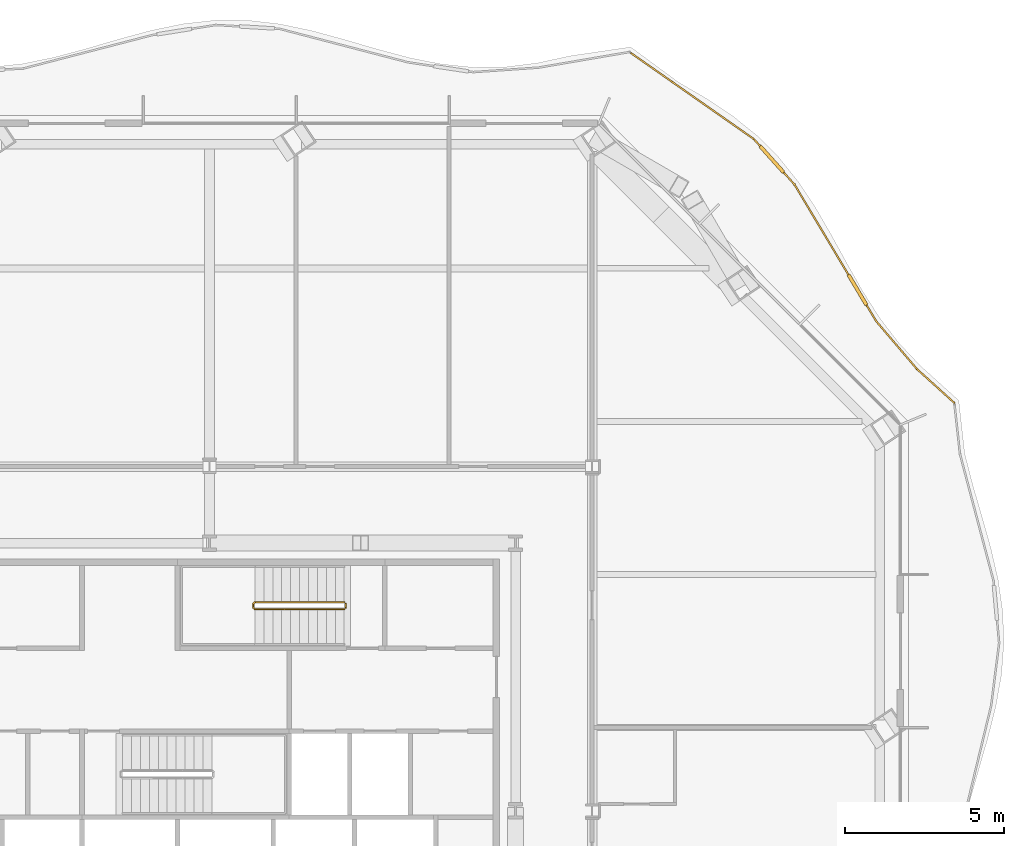
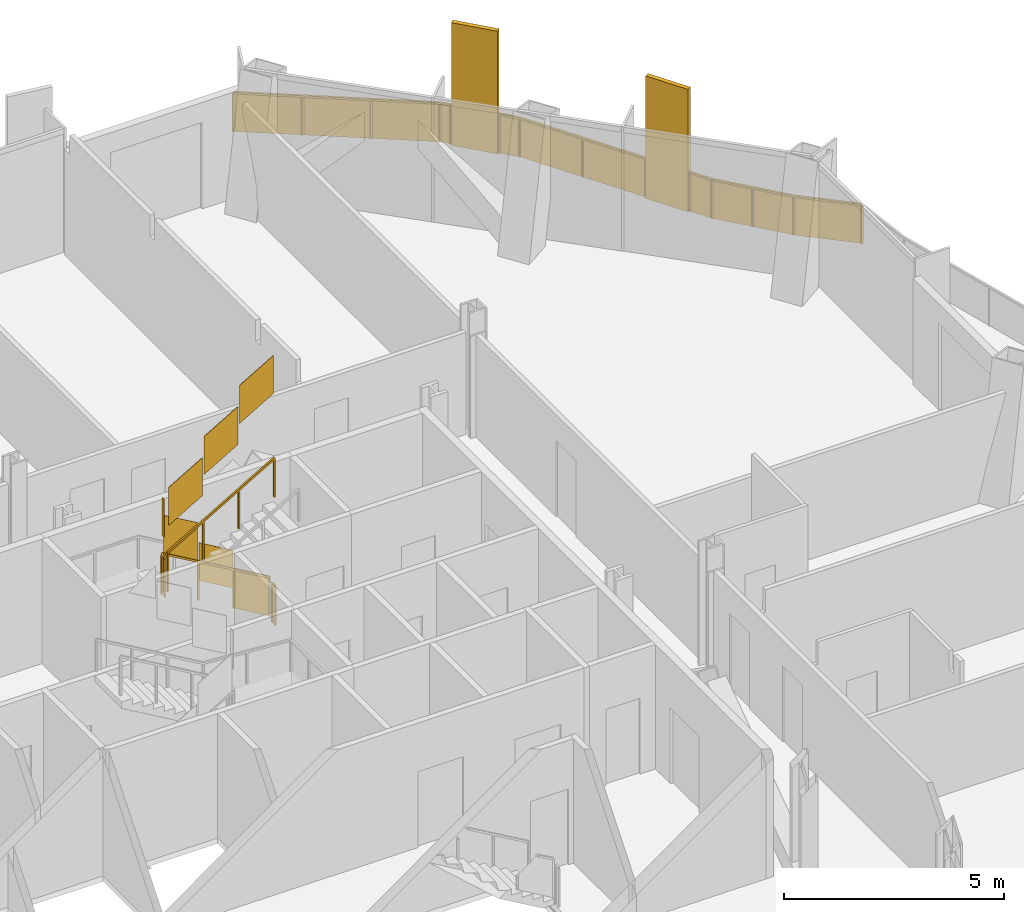
# One storey, part 19 of 19: 3 railings.
"""IFC4 building model written with IfcOpenShell, lengths in metres."""

from ifc_helpers import new_model, si_unit, direction, frame, origin, origin_2d, place, context, subcontext, project, spatial, polyline, rectangle, outline, extrude, material, type_object, element, save


model = new_model("IFC4")

# Units and contexts
model_context = context("Model", 3, precision=1e-05, world=origin(), true_north=direction((0.0, 1.0)))
body_context = subcontext(model_context, "Body", "Model", "MODEL_VIEW")
ifc_project = project(units=[si_unit("LENGTHUNIT", "METRE"), si_unit("AREAUNIT", "SQUARE_METRE"), si_unit("VOLUMEUNIT", "CUBIC_METRE"), si_unit("PLANEANGLEUNIT", "RADIAN"), si_unit("MASSUNIT", "GRAM", prefix="KILO")], contexts=[model_context])

# Site, building, storey
site_placement = place(None, origin())
site = spatial("IfcSite", under=ifc_project, at=site_placement, CompositionType="ELEMENT")
building_placement = place(site_placement, origin())
building = spatial("IfcBuilding", under=site, at=building_placement, Name="Cairn Pilgrim Tower", CompositionType="ELEMENT")
storey_placement = place(building_placement, frame((0.0, 0.0, 90.60009765625)))
storey = spatial("IfcBuildingStorey", under=building, at=storey_placement, Name="L21", CompositionType="ELEMENT", Elevation=90.60009765625)

# Railings
ifc_material_1 = material(Name="Bronze anodised aluminium rail, posts and fin screens with laminated glass infill", Category="aluminium")
railing_type_1 = type_object("IfcRailingType", Name="BALCONY GUARD WITH FIN SCREENS", PredefinedType="GUARDRAIL", material=ifc_material_1)
railing_1_placement = place(storey_placement, frame((30.5625, 15.197021484375, 0.0)))
element("IfcRailing", 1, at=railing_1_placement, inside=storey, type_object=railing_type_1, Name="Balcony guard BGF-3 with fin screens", PredefinedType="GUARDRAIL", context=body_context, shape_type="SweptSolid", body=[
    extrude(rectangle(XDim=0.050048828125, YDim=0.050048828125, at=origin_2d()), frame((0.0, 0.0, 1.0751953125), z_axis=(-0.741433349905, 0.671026517844, 0.0), x_axis=(-0.671026517844, -0.741433349905, 0.0)), (0.0, 0.0, 1.0), 1.581298828125),
    extrude(rectangle(XDim=0.050048828125, YDim=0.050048828125, at=origin_2d()), frame((-1.17236328125, 1.06103515625, 1.0751953125), z_axis=(-0.648602244155, 0.761127537852, 0.0), x_axis=(-0.761127537852, -0.648602244155, 0.0)), (0.0, 0.0, 1.0), 1.9677734375),
    extrude(rectangle(XDim=1.10009765625, YDim=0.110107421875, at=origin_2d()), frame((-3.037353515625, 3.543701171875, 0.0), z_axis=(0.0, 0.0, 1.0), x_axis=(-0.513087123809, 0.858336532708, 0.0)), (0.0, 0.0, 1.0), 3.39990234375),
    extrude(rectangle(XDim=0.050048828125, YDim=0.050048828125, at=origin_2d()), frame((-2.44873046875, 2.558837890625, 1.0751953125), z_axis=(-0.513087123809, 0.858336532708, 0.0), x_axis=(-0.858336532708, -0.513087123809, 0.0)), (0.0, 0.0, 1.0), 0.597412109375),
    extrude(rectangle(XDim=0.050048828125, YDim=0.050048828125, at=origin_2d()), frame((-3.319580078125, 4.015625, 1.0751953125), z_axis=(-0.513087123809, 0.858336532708, 0.0), x_axis=(-0.858336532708, -0.513087123809, 0.0)), (0.0, 0.0, 1.0), 3.30078125),
    extrude(rectangle(XDim=1.10009765625, YDim=0.110107421875, at=origin_2d()), frame((-5.7255859375, 7.645263671875, 0.0), z_axis=(0.0, 0.0, 1.0), x_axis=(-0.666723892822, 0.745304803916, 0.0)), (0.0, 0.0, 1.0), 3.39990234375),
    extrude(rectangle(XDim=0.050048828125, YDim=0.050048828125, at=origin_2d()), frame((-5.01318359375, 6.848876953125, 1.0751953125), z_axis=(-0.666723892822, 0.745304803916, 0.0), x_axis=(-0.745304803916, -0.666723892822, 0.0)), (0.0, 0.0, 1.0), 0.518310546875),
    extrude(rectangle(XDim=0.050048828125, YDim=0.050048828125, at=origin_2d()), frame((-6.09228515625, 8.05517578125, 1.0751953125), z_axis=(-0.666723892822, 0.745304803916, 0.0), x_axis=(-0.745304803916, -0.666723892822, 0.0)), (0.0, 0.0, 1.0), 0.292236328125),
    extrude(rectangle(XDim=0.050048828125, YDim=0.050048828125, at=origin_2d()), frame((-6.287109375, 8.27294921875, 1.0751953125), z_axis=(-0.819141671633, 0.573591249754, 0.0), x_axis=(-0.573591249754, -0.819141671633, 0.0)), (0.0, 0.0, 1.0), 4.702880859375),
    extrude(rectangle(XDim=0.050048828125, YDim=0.050048828125, at=origin_2d()), origin(), (0.0, 0.0, 1.0), 1.050048828125),
    extrude(rectangle(XDim=0.050048828125, YDim=0.050048828125, at=origin_2d()), frame((-1.17236328125, 1.06103515625, 0.0)), (0.0, 0.0, 1.0), 1.050048828125),
    extrude(rectangle(XDim=0.050048828125, YDim=0.050048828125, at=origin_2d()), frame((-1.810546875, 1.81005859375, 0.0)), (0.0, 0.0, 1.0), 1.050048828125),
    extrude(rectangle(XDim=0.050048828125, YDim=0.050048828125, at=origin_2d()), frame((-2.44873046875, 2.558837890625, 0.0)), (0.0, 0.0, 1.0), 1.050048828125),
    extrude(rectangle(XDim=0.050048828125, YDim=0.050048828125, at=origin_2d()), frame((-2.742431640625, 3.050048828125, 0.0)), (0.0, 0.0, 1.0), 1.050048828125),
    extrude(rectangle(XDim=0.050048828125, YDim=0.050048828125, at=origin_2d()), frame((-3.33251953125, 4.037109375, 0.0)), (0.0, 0.0, 1.0), 1.050048828125),
    extrude(rectangle(XDim=0.050048828125, YDim=0.050048828125, at=origin_2d()), frame((-4.1728515625, 5.443115234375, 0.0)), (0.0, 0.0, 1.0), 1.050048828125),
    extrude(rectangle(XDim=0.050048828125, YDim=0.050048828125, at=origin_2d()), frame((-5.01318359375, 6.848876953125, 0.0)), (0.0, 0.0, 1.0), 1.050048828125),
    extrude(rectangle(XDim=0.050048828125, YDim=0.050048828125, at=origin_2d()), frame((-5.342041015625, 7.216552734375, 0.0)), (0.0, 0.0, 1.0), 1.050048828125),
    extrude(rectangle(XDim=0.050048828125, YDim=0.050048828125, at=origin_2d()), frame((-6.10888671875, 8.07373046875, 0.0)), (0.0, 0.0, 1.0), 1.050048828125),
    extrude(rectangle(XDim=0.050048828125, YDim=0.050048828125, at=origin_2d()), frame((-6.287109375, 8.27294921875, 0.0)), (0.0, 0.0, 1.0), 1.050048828125),
    extrude(rectangle(XDim=0.050048828125, YDim=0.050048828125, at=origin_2d()), frame((-7.5712890625, 9.172119140625, 0.0)), (0.0, 0.0, 1.0), 1.050048828125),
    extrude(rectangle(XDim=0.050048828125, YDim=0.050048828125, at=origin_2d()), frame((-8.855224609375, 10.0712890625, 0.0)), (0.0, 0.0, 1.0), 1.050048828125),
    extrude(rectangle(XDim=0.050048828125, YDim=0.050048828125, at=origin_2d()), frame((-10.139404296875, 10.970458984375, 0.0)), (0.0, 0.0, 1.0), 1.050048828125),
    extrude(outline(polyline([(0.02490234375, 0.0), (1.55615234375, 0.0), (1.55615234375, 1.050048828125), (0.02490234375, 1.050048828125), (0.02490234375, 0.0)])), frame((-0.00390625, -0.00439453125, 0.0), z_axis=(0.671026517844, 0.741433349905, 0.0), x_axis=(-0.741433349905, 0.671026517844, 0.0)), (0.0, 0.0, 1.0), 0.011962890625),
    extrude(outline(polyline([(0.02490234375, 0.0), (0.958984375, 0.0), (0.958984375, 1.050048828125), (0.02490234375, 1.050048828125), (0.02490234375, 0.0)])), frame((-1.177001953125, 1.05712890625, 0.0), z_axis=(0.761127537852, 0.648602244155, 0.0), x_axis=(-0.648602244155, 0.761127537852, 0.0)), (0.0, 0.0, 1.0), 0.011962890625),
    extrude(outline(polyline([(0.02490234375, 0.0), (0.958984375, 0.0), (0.958984375, 1.050048828125), (0.02490234375, 1.050048828125), (0.02490234375, 0.0)])), frame((-1.815185546875, 1.80615234375, 0.0), z_axis=(0.761127537852, 0.648602244155, 0.0), x_axis=(-0.648602244155, 0.761127537852, 0.0)), (0.0, 0.0, 1.0), 0.011962890625),
    extrude(outline(polyline([(0.02490234375, 0.0), (0.54736328125, 0.0), (0.54736328125, 1.050048828125), (0.02490234375, 1.050048828125), (0.02490234375, 0.0)])), frame((-2.453857421875, 2.5556640625, 0.0), z_axis=(0.858336532708, 0.513087123809, 0.0), x_axis=(-0.513087123809, 0.858336532708, 0.0)), (0.0, 0.0, 1.0), 0.011962890625),
    extrude(outline(polyline([(0.02490234375, 0.0), (1.61279296875, 0.0), (1.61279296875, 1.050048828125), (0.02490234375, 1.050048828125), (0.02490234375, 0.0)])), frame((-3.337646484375, 4.0341796875, 0.0), z_axis=(0.858336532708, 0.513087123809, 0.0), x_axis=(-0.513087123809, 0.858336532708, 0.0)), (0.0, 0.0, 1.0), 0.011962890625),
    extrude(outline(polyline([(0.02490234375, 0.0), (1.61279296875, 0.0), (1.61279296875, 1.050048828125), (0.02490234375, 1.050048828125), (0.02490234375, 0.0)])), frame((-4.177978515625, 5.43994140625, 0.0), z_axis=(0.858336532708, 0.513087123809, 0.0), x_axis=(-0.513087123809, 0.858336532708, 0.0)), (0.0, 0.0, 1.0), 0.011962890625),
    extrude(outline(polyline([(0.02490234375, 0.0), (0.46826171875, 0.0), (0.46826171875, 1.050048828125), (0.02490234375, 1.050048828125), (0.02490234375, 0.0)])), frame((-5.017578125, 6.844970703125, 0.0), z_axis=(0.745304803916, 0.666723892822, 0.0), x_axis=(-0.666723892822, 0.745304803916, 0.0)), (0.0, 0.0, 1.0), 0.011962890625),
    extrude(outline(polyline([(0.02490234375, 0.0), (0.2421875, 0.0), (0.2421875, 1.050048828125), (0.02490234375, 1.050048828125), (0.02490234375, 0.0)])), frame((-6.11328125, 8.06982421875, 0.0), z_axis=(0.745304803916, 0.666723892822, 0.0), x_axis=(-0.666723892822, 0.745304803916, 0.0)), (0.0, 0.0, 1.0), 0.011962890625),
    extrude(outline(polyline([(0.02490234375, 0.0), (1.54248046875, 0.0), (1.54248046875, 1.050048828125), (0.02490234375, 1.050048828125), (0.02490234375, 0.0)])), frame((-6.29052734375, 8.26806640625, 0.0), z_axis=(0.573591249754, 0.819141671633, 0.0), x_axis=(-0.819141671633, 0.573591249754, 0.0)), (0.0, 0.0, 1.0), 0.011962890625),
    extrude(outline(polyline([(0.02490234375, 0.0), (1.54248046875, 0.0), (1.54248046875, 1.050048828125), (0.02490234375, 1.050048828125), (0.02490234375, 0.0)])), frame((-7.57470703125, 9.167236328125, 0.0), z_axis=(0.573591249754, 0.819141671633, 0.0), x_axis=(-0.819141671633, 0.573591249754, 0.0)), (0.0, 0.0, 1.0), 0.011962890625),
    extrude(outline(polyline([(0.02490234375, 0.0), (1.54248046875, 0.0), (1.54248046875, 1.050048828125), (0.02490234375, 1.050048828125), (0.02490234375, 0.0)])), frame((-8.858642578125, 10.06640625, 0.0), z_axis=(0.573591249754, 0.819141671633, 0.0), x_axis=(-0.819141671633, 0.573591249754, 0.0)), (0.0, 0.0, 1.0), 0.011962890625),
])
ifc_material_2 = material(Name="Painted steel", Category="steel")
railing_type_2 = type_object("IfcRailingType", Name="STAIR GUARD 1100", PredefinedType="GUARDRAIL", material=ifc_material_2)
railing_2_placement = place(storey_placement, frame((11.425048828125, 8.949951171875, 0.16357421875)))
element("IfcRailing", 2, at=railing_2_placement, inside=storey, type_object=railing_type_2, Name="L21 ST-C stair guard 1", PredefinedType="GUARDRAIL", context=body_context, shape_type="SweptSolid", body=[
    extrude(rectangle(XDim=0.048095703125, YDim=0.048095703125, at=origin_2d()), frame((0.0, 0.0, 1.076171875), z_axis=(-0.863393664356, 0.0, 0.504530851732), x_axis=(0.0, -1.0, 0.0)), (0.0, 0.0, 1.0), 3.2431640625),
    extrude(rectangle(XDim=0.048095703125, YDim=0.048095703125, at=origin_2d()), frame((-2.800048828125, 0.0, 2.71240234375), z_axis=(-0.707106781187, -0.707106781187, 0.0), x_axis=(0.707106781187, -0.707106781187, 0.0)), (0.0, 0.0, 1.0), 0.07080078125),
    extrude(rectangle(XDim=0.048095703125, YDim=0.048095703125, at=origin_2d()), frame((-2.85009765625, -0.050048828125, 2.71240234375), z_axis=(0.0, -1.0, 0.0), x_axis=(1.0, 0.0, 0.0)), (0.0, 0.0, 1.0), 0.125),
    extrude(rectangle(XDim=0.048095703125, YDim=0.048095703125, at=origin_2d()), frame((-2.85009765625, -0.175048828125, 2.71240234375), z_axis=(0.280563532951, -0.279194930351, 0.91833234444), x_axis=(0.705375805398, 0.708833529934, 0.0)), (0.0, 0.0, 1.0), 0.178466796875),
    extrude(rectangle(XDim=0.048095703125, YDim=0.048095703125, at=origin_2d()), frame((-2.800048828125, -0.224853515625, 2.8759765625), z_axis=(0.863393664356, 0.0, 0.504530851732), x_axis=(0.0, 1.0, 0.0)), (0.0, 0.0, 1.0), 3.2431640625),
    extrude(rectangle(XDim=0.0419921875, YDim=0.0419921875, at=origin_2d()), origin(), (0.0, 0.0, 1.0), 1.052001953125),
    extrude(rectangle(XDim=0.0419921875, YDim=0.0419921875, at=origin_2d()), frame((-0.933349609375, 0.0, 0.54541015625)), (0.0, 0.0, 1.0), 1.052001953125),
    extrude(rectangle(XDim=0.0419921875, YDim=0.0419921875, at=origin_2d()), frame((-1.86669921875, 0.0, 1.0908203125)), (0.0, 0.0, 1.0), 1.052001953125),
    extrude(rectangle(XDim=0.0419921875, YDim=0.0419921875, at=origin_2d()), frame((-2.800048828125, 0.0, 1.63623046875)), (0.0, 0.0, 1.0), 1.052001953125),
    extrude(rectangle(XDim=0.0419921875, YDim=0.0419921875, at=origin_2d()), frame((-2.85009765625, -0.050048828125, 1.63623046875)), (0.0, 0.0, 1.0), 1.052001953125),
    extrude(rectangle(XDim=0.0419921875, YDim=0.0419921875, at=origin_2d()), frame((-2.85009765625, -0.175048828125, 1.63623046875)), (0.0, 0.0, 1.0), 1.052001953125),
    extrude(rectangle(XDim=0.0419921875, YDim=0.0419921875, at=origin_2d()), frame((-2.800048828125, -0.224853515625, 1.800048828125)), (0.0, 0.0, 1.0), 1.052001953125),
    extrude(rectangle(XDim=0.0419921875, YDim=0.0419921875, at=origin_2d()), frame((-1.86669921875, -0.224853515625, 2.345458984375)), (0.0, 0.0, 1.0), 1.052001953125),
    extrude(rectangle(XDim=0.0419921875, YDim=0.0419921875, at=origin_2d()), frame((-0.933349609375, -0.224853515625, 2.890869140625)), (0.0, 0.0, 1.0), 1.052001953125),
    extrude(rectangle(XDim=0.0419921875, YDim=0.0419921875, at=origin_2d()), frame((0.0, -0.224853515625, 3.436279296875)), (0.0, 0.0, 1.0), 1.052001953125),
    extrude(outline(polyline([(0.02099609375, 0.01220703125), (0.912353515625, 0.533203125), (0.912353515625, 1.585205078125), (0.02099609375, 1.064208984375), (0.02099609375, 0.01220703125)])), frame((0.0, -0.005859375, 0.0), z_axis=(0.0, 1.0, 0.0), x_axis=(-1.0, 0.0, 0.0)), (0.0, 0.0, 1.0), 0.011962890625),
    extrude(outline(polyline([(0.02099609375, 0.5576171875), (0.912353515625, 1.07861328125), (0.912353515625, 2.130615234375), (0.02099609375, 1.609619140625), (0.02099609375, 0.5576171875)])), frame((-0.933349609375, -0.005859375, 0.54541015625), z_axis=(0.0, 1.0, 0.0), x_axis=(-1.0, 0.0, 0.0)), (0.0, 0.0, 1.0), 0.011962890625),
    extrude(outline(polyline([(0.02099609375, 1.10302734375), (0.912353515625, 1.6240234375), (0.912353515625, 2.676025390625), (0.02099609375, 2.155029296875), (0.02099609375, 1.10302734375)])), frame((-1.86669921875, -0.005859375, 1.0908203125), z_axis=(0.0, 1.0, 0.0), x_axis=(-1.0, 0.0, 0.0)), (0.0, 0.0, 1.0), 0.011962890625),
    extrude(outline(polyline([(0.02099609375, 1.63623046875), (0.10400390625, 1.63623046875), (0.10400390625, 2.688232421875), (0.02099609375, 2.688232421875), (0.02099609375, 1.63623046875)])), frame((-2.84423828125, -0.050048828125, 1.63623046875), z_axis=(-1.0, 0.0, 0.0), x_axis=(0.0, -1.0, 0.0)), (0.0, 0.0, 1.0), 0.011962890625),
    extrude(outline(polyline([(0.02099609375, 1.812255859375), (0.912353515625, 2.333251953125), (0.912353515625, 3.38525390625), (0.02099609375, 2.8642578125), (0.02099609375, 1.812255859375)])), frame((-2.800048828125, -0.21875, 1.800048828125), z_axis=(0.0, -1.0, 0.0), x_axis=(1.0, 0.0, 0.0)), (0.0, 0.0, 1.0), 0.011962890625),
    extrude(outline(polyline([(0.02099609375, 2.357666015625), (0.912353515625, 2.878662109375), (0.912353515625, 3.9306640625), (0.02099609375, 3.40966796875), (0.02099609375, 2.357666015625)])), frame((-1.86669921875, -0.21875, 2.345458984375), z_axis=(0.0, -1.0, 0.0), x_axis=(1.0, 0.0, 0.0)), (0.0, 0.0, 1.0), 0.011962890625),
    extrude(outline(polyline([(0.02099609375, 2.903076171875), (0.912353515625, 3.424072265625), (0.912353515625, 4.47607421875), (0.02099609375, 3.955078125), (0.02099609375, 2.903076171875)])), frame((-0.933349609375, -0.21875, 2.890869140625), z_axis=(0.0, -1.0, 0.0), x_axis=(1.0, 0.0, 0.0)), (0.0, 0.0, 1.0), 0.011962890625),
])
railing_3_placement = place(storey_placement, frame((11.47509765625, 8.89990234375, 0.0)))
element("IfcRailing", 3, at=railing_3_placement, inside=storey, type_object=railing_type_2, Name="L21 ST-C stair guard 2", PredefinedType="GUARDRAIL", context=body_context, shape_type="SweptSolid", body=[
    extrude(rectangle(XDim=0.048095703125, YDim=0.048095703125, at=origin_2d()), frame((0.0, 0.0, 1.076171875), z_axis=(0.0, -1.0, 0.0), x_axis=(1.0, 0.0, 0.0)), (0.0, 0.0, 1.0), 0.125),
    extrude(rectangle(XDim=0.0419921875, YDim=0.0419921875, at=origin_2d()), origin(), (0.0, 0.0, 1.0), 1.052001953125),
    extrude(rectangle(XDim=0.0419921875, YDim=0.0419921875, at=origin_2d()), frame((0.0, -0.125, 0.0)), (0.0, 0.0, 1.0), 1.052001953125),
    extrude(outline(polyline([(0.02099609375, 0.0), (0.10400390625, 0.0), (0.10400390625, 1.052001953125), (0.02099609375, 1.052001953125), (0.02099609375, 0.0)])), frame((0.005859375, 0.0, 0.0), z_axis=(-1.0, 0.0, 0.0), x_axis=(0.0, -1.0, 0.0)), (0.0, 0.0, 1.0), 0.011962890625),
])

save(model, "model.ifc")
